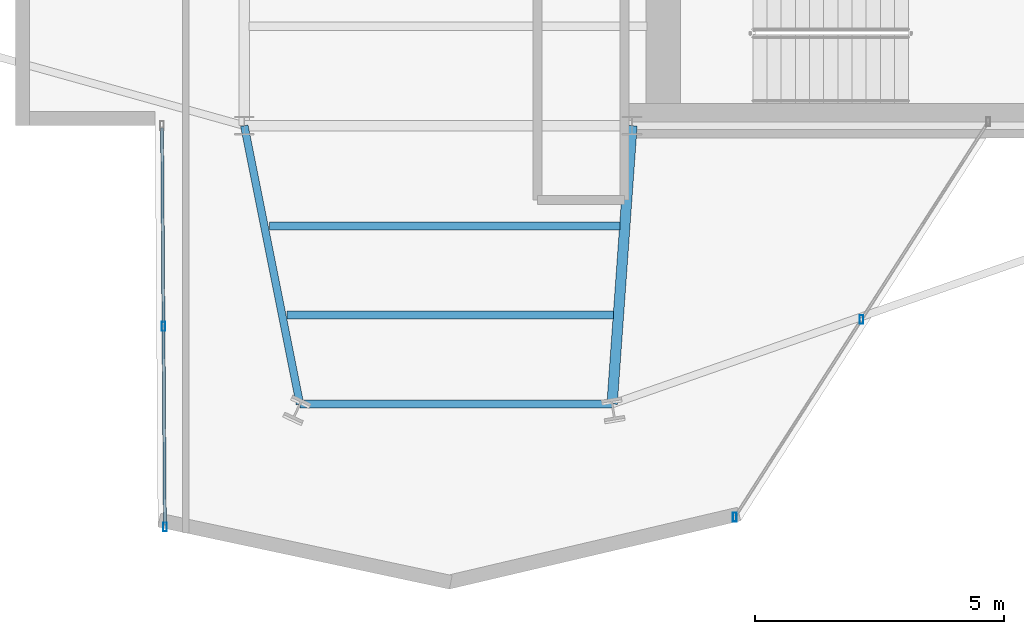
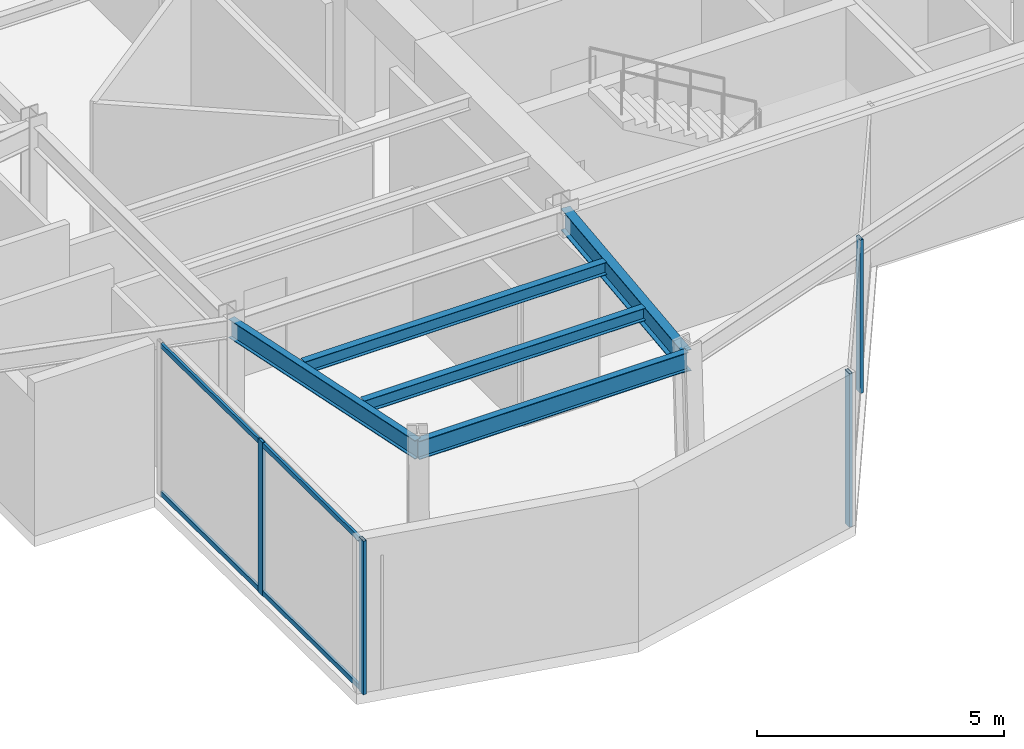
# One storey, part 6 of 23: 6 members, 5 beams, 2 elements without a shape of their own.
"""IFC4 building model written with IfcOpenShell, lengths in metres."""

from ifc_helpers import new_model, si_unit, direction, frame, origin, origin_2d, place, context, subcontext, project, spatial, hollow_rectangle, i_section, extrude, material, layer, layer_set, material_profile, profile_set, type_object, element, aggregate, save


model = new_model("IFC4")

# Units and contexts
model_context = context("Model", 3, precision=1e-05, world=origin(), true_north=direction((0.0, 1.0)))
body_context = subcontext(model_context, "Body", "Model", "MODEL_VIEW")
ifc_project = project(units=[si_unit("LENGTHUNIT", "METRE"), si_unit("AREAUNIT", "SQUARE_METRE"), si_unit("VOLUMEUNIT", "CUBIC_METRE"), si_unit("PLANEANGLEUNIT", "RADIAN"), si_unit("MASSUNIT", "GRAM", prefix="KILO")], contexts=[model_context])

# Site, building, storey
site_placement = place(None, origin())
site = spatial("IfcSite", under=ifc_project, at=site_placement, CompositionType="ELEMENT")
building_placement = place(site_placement, origin())
building = spatial("IfcBuilding", under=site, at=building_placement, Name="Veymaron Broadcast Tower", CompositionType="ELEMENT")
storey_placement = place(building_placement, frame((0.0, 0.0, 199.949951171875)))
storey = spatial("IfcBuildingStorey", under=building, at=storey_placement, Name="L46", CompositionType="ELEMENT", Elevation=199.949951171875)

# Beams
ifc_material_1 = material(Name="Structural steel ASTM A992 Gr 50", Category="steel")
ifc_material_profile_1 = material_profile(ifc_material_1, i_section(OverallWidth=0.2099609375, OverallDepth=0.537109375, WebThickness=0.010986328125, FlangeThickness=0.017333984375, at=origin_2d()), Name="W530X101")
ifc_profile_set_1 = profile_set([ifc_material_profile_1], Name="Structural steel ASTM A992 Gr 50")
beam_type_1 = type_object("IfcBeamType", Name="BM-FG3", PredefinedType="BEAM", material=ifc_profile_set_1)
beam_1_placement = place(storey_placement, frame((39.0, 16.0, 3.521484375), z_axis=(-0.071228508128, -0.997460024076, 0.0), x_axis=(0.997460024076, -0.071228508128, 0.0)))
element("IfcBeam", 1, at=beam_1_placement, inside=storey, type_object=beam_type_1, Name="L46 primary structural floor girder", PredefinedType="BEAM", context=body_context, shape_type="SweptSolid", body=[
    extrude(i_section(OverallWidth=0.2099609375, OverallDepth=0.537109375, WebThickness=0.010986328125, FlangeThickness=0.017333984375, at=origin_2d()), origin(), (0.0, 0.0, 1.0), 5.6142578125),
])
ifc_material_profile_2 = material_profile(ifc_material_1, i_section(OverallWidth=0.1650390625, OverallDepth=0.31005859375, WebThickness=0.005859375, FlangeThickness=0.009765625, at=origin_2d()), Name="W310X39")
ifc_profile_set_2 = profile_set([ifc_material_profile_2], Name="Structural steel ASTM A992 Gr 50")
beam_type_2 = type_object("IfcBeamType", Name="BM-JS3", PredefinedType="JOIST", material=ifc_profile_set_2)
beam_2_placement = place(storey_placement, frame((31.703125, 13.98388671875, 3.635009765625), z_axis=(1.0, 0.0, 0.0), x_axis=(0.0, 1.0, 0.0)))
element("IfcBeam", 2, at=beam_2_placement, inside=storey, type_object=beam_type_2, Name="L46 Arm-C secondary joist 1", PredefinedType="JOIST", context=body_context, shape_type="SweptSolid", body=[
    extrude(i_section(OverallWidth=0.1650390625, OverallDepth=0.31005859375, WebThickness=0.005859375, FlangeThickness=0.009765625, at=origin_2d()), origin(), (0.0, 0.0, 1.0), 7.052978515625),
])
beam_3_placement = place(storey_placement, frame((32.0615234375, 12.19189453125, 3.635009765625), z_axis=(1.0, 0.0, 0.0), x_axis=(0.0, 1.0, 0.0)))
element("IfcBeam", 3, at=beam_3_placement, inside=storey, type_object=beam_type_2, Name="L46 Arm-C secondary joist 2", PredefinedType="JOIST", context=body_context, shape_type="SweptSolid", body=[
    extrude(i_section(OverallWidth=0.1650390625, OverallDepth=0.31005859375, WebThickness=0.005859375, FlangeThickness=0.009765625, at=origin_2d()), origin(), (0.0, 0.0, 1.0), 6.56640625),
])
ifc_material_profile_3 = material_profile(ifc_material_1, i_section(OverallWidth=0.154052734375, OverallDepth=0.458984375, WebThickness=0.009033203125, FlangeThickness=0.015380859375, at=origin_2d()), Name="W460X68")
ifc_profile_set_3 = profile_set([ifc_material_profile_3], Name="Structural steel ASTM A992 Gr 50")
beam_type_3 = type_object("IfcBeamType", Name="BM-SP2", PredefinedType="SPANDREL", material=ifc_profile_set_3)
beam_4_placement = place(storey_placement, frame((31.199951171875, 16.0, 3.560546875), z_axis=(0.196132577048, -0.980577387166, 0.0), x_axis=(0.980577387166, 0.196132577048, 0.0)))
element("IfcBeam", 4, at=beam_4_placement, inside=storey, type_object=beam_type_3, Name="L46 primary structural floor girder", PredefinedType="SPANDREL", context=body_context, shape_type="SweptSolid", body=[
    extrude(i_section(OverallWidth=0.154052734375, OverallDepth=0.458984375, WebThickness=0.009033203125, FlangeThickness=0.015380859375, at=origin_2d()), origin(), (0.0, 0.0, 1.0), 5.7109375),
])
beam_5_placement = place(storey_placement, frame((32.320068359375, 10.39990234375, 3.560546875), z_axis=(1.0, 0.0, 0.0), x_axis=(0.0, 1.0, 0.0)))
element("IfcBeam", 5, at=beam_5_placement, inside=storey, type_object=beam_type_3, Name="L46 primary structural floor girder", PredefinedType="SPANDREL", context=body_context, shape_type="SweptSolid", body=[
    extrude(i_section(OverallWidth=0.154052734375, OverallDepth=0.458984375, WebThickness=0.009033203125, FlangeThickness=0.015380859375, at=origin_2d()), origin(), (0.0, 0.0, 1.0), 6.280029296875),
])

# Curtain wall, members
ifc_material_2 = material(Name="Anodised aluminium AA 6063-T6 and laminated low-E dark glass", Category="aluminium")
ifc_layer = layer(ifc_material_2, 0.179931640625)
ifc_layer_set = layer_set([ifc_layer], Name="Anodised aluminium AA 6063-T6 and laminated low-E dark glass")
curtain_wall_type = type_object("IfcCurtainWallType", Name="CW-SYS-05", PredefinedType="NOTDEFINED", material=ifc_layer_set)
curtain_wall_1_placement = place(storey_placement, origin())
curtain_wall_1 = element("IfcCurtainWall", 6, at=curtain_wall_1_placement, inside=storey, type_object=curtain_wall_type, Name="L46 dark-glass curtain wall CW-L46-E17-1", PredefinedType="NOTDEFINED")
ifc_material_3 = material(Name="Anodised aluminium AA 6063-T6", Category="aluminium")
ifc_material_profile_4 = material_profile(ifc_material_3, hollow_rectangle(XDim=0.074951171875, YDim=0.179931640625, WallThickness=0.0048828125, at=origin_2d()), Name="AL180X75X5")
ifc_profile_set_4 = profile_set([ifc_material_profile_4], Name="Anodised aluminium AA 6063-T6")
member_type_1 = type_object("IfcMemberType", Name="CW-MUL-02", PredefinedType="MULLION", material=ifc_profile_set_4)
member_1_placement = place(storey_placement, frame((29.574462890625, 11.96337890625, 0.0), z_axis=(0.0, 0.0, 1.0), x_axis=(1.0, 0.0, 0.0)))
member_1 = element("IfcMember", 7, at=member_1_placement, type_object=member_type_1, Name="CW-L46-E17-1 mullion 1", PredefinedType="MULLION", context=body_context, shape_type="SweptSolid", body=[
    extrude(hollow_rectangle(XDim=0.074951171875, YDim=0.179931640625, WallThickness=0.0048828125, at=origin_2d()), origin(), (0.0, 0.0, 1.0), 3.7900390625),
])
member_2_placement = place(storey_placement, frame((29.603271484375, 7.926025390625, 0.0), z_axis=(0.0, 0.0, 1.0), x_axis=(1.0, 0.0, 0.0)))
member_2 = element("IfcMember", 8, at=member_2_placement, type_object=member_type_1, Name="CW-L46-E17-1 mullion 2", PredefinedType="MULLION", context=body_context, shape_type="SweptSolid", body=[
    extrude(hollow_rectangle(XDim=0.074951171875, YDim=0.179931640625, WallThickness=0.0048828125, at=origin_2d()), origin(), (0.0, 0.0, 1.0), 3.7900390625),
])

curtain_wall_2_placement = place(storey_placement, origin())
curtain_wall_2 = element("IfcCurtainWall", 9, at=curtain_wall_2_placement, inside=storey, type_object=curtain_wall_type, Name="L46 dark-glass curtain wall CW-L46-E20-1", PredefinedType="NOTDEFINED")
member_3_placement = place(storey_placement, frame((41.06884765625, 8.12548828125, 0.0), z_axis=(0.0, 0.0, 1.0), x_axis=(1.0, 0.0, 0.0)))
member_3 = element("IfcMember", 10, at=member_3_placement, type_object=member_type_1, Name="CW-L46-E20-1 mullion 0", PredefinedType="MULLION", context=body_context, shape_type="SweptSolid", body=[
    extrude(hollow_rectangle(XDim=0.074951171875, YDim=0.179931640625, WallThickness=0.0048828125, at=origin_2d()), origin(), (0.0, 0.0, 1.0), 3.7900390625),
])
member_4_placement = place(storey_placement, frame((43.618896484375, 12.1005859375, 0.0), z_axis=(0.0, 0.0, 1.0), x_axis=(1.0, 0.0, 0.0)))
member_4 = element("IfcMember", 11, at=member_4_placement, type_object=member_type_1, Name="CW-L46-E20-1 mullion 1", PredefinedType="MULLION", context=body_context, shape_type="SweptSolid", body=[
    extrude(hollow_rectangle(XDim=0.074951171875, YDim=0.179931640625, WallThickness=0.0048828125, at=origin_2d()), origin(), (0.0, 0.0, 1.0), 3.7900390625),
])
aggregate(curtain_wall_2, [member_3, member_4])

# Member
ifc_material_profile_5 = material_profile(ifc_material_3, hollow_rectangle(XDim=0.06005859375, YDim=0.1201171875, WallThickness=0.00390625, at=origin_2d()), Name="AL120X60X4")
ifc_profile_set_5 = profile_set([ifc_material_profile_5], Name="Anodised aluminium AA 6063-T6")
member_type_2 = type_object("IfcMemberType", Name="CW-TRN-02", PredefinedType="USERDEFINED", material=ifc_profile_set_5)
member_5_placement = place(storey_placement, frame((29.546142578125, 15.950927734375, 0.070068359375), z_axis=(0.007102224053, -0.999974778889, 0.0), x_axis=(0.999974778889, 0.007102224053, 0.0)))
member_5 = element("IfcMember", 12, at=member_5_placement, type_object=member_type_2, Name="CW-L46-E17-1 transom B", ObjectType="TRANSOM", PredefinedType="USERDEFINED", context=body_context, shape_type="SweptSolid", body=[
    extrude(hollow_rectangle(XDim=0.06005859375, YDim=0.1201171875, WallThickness=0.00390625, at=origin_2d()), origin(), (0.0, 0.0, 1.0), 7.97509765625),
])

member_6_placement = place(storey_placement, frame((29.546142578125, 15.950927734375, 3.719970703125), z_axis=(0.007102224053, -0.999974778889, 0.0), x_axis=(0.999974778889, 0.007102224053, 0.0)))
member_6 = element("IfcMember", 13, at=member_6_placement, type_object=member_type_2, Name="CW-L46-E17-1 transom T", ObjectType="TRANSOM", PredefinedType="USERDEFINED", context=body_context, shape_type="SweptSolid", body=[
    extrude(hollow_rectangle(XDim=0.06005859375, YDim=0.1201171875, WallThickness=0.00390625, at=origin_2d()), origin(), (0.0, 0.0, 1.0), 7.97509765625),
])

aggregate(curtain_wall_1, [member_1, member_2, member_5, member_6])

save(model, "model.ifc")
